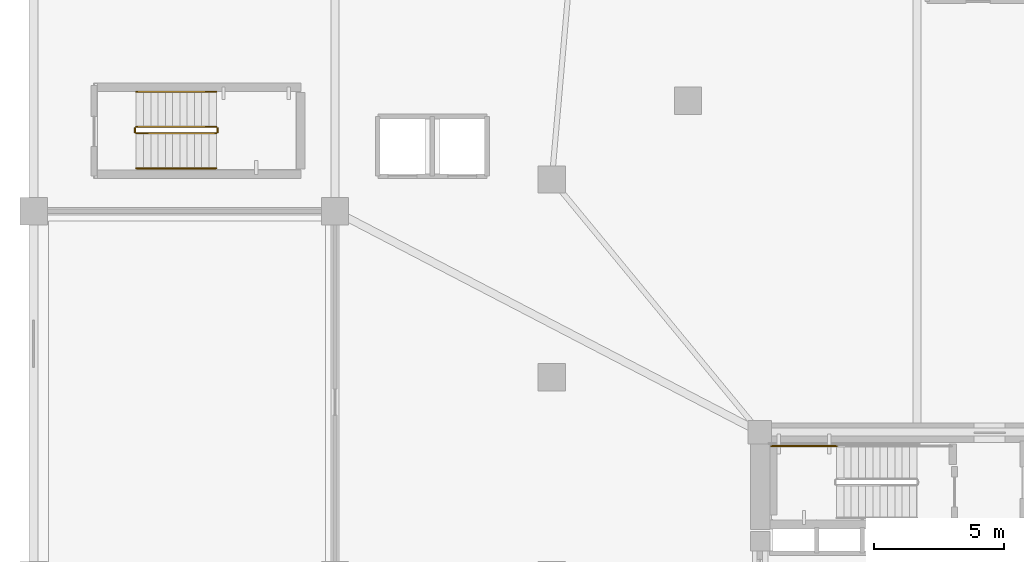
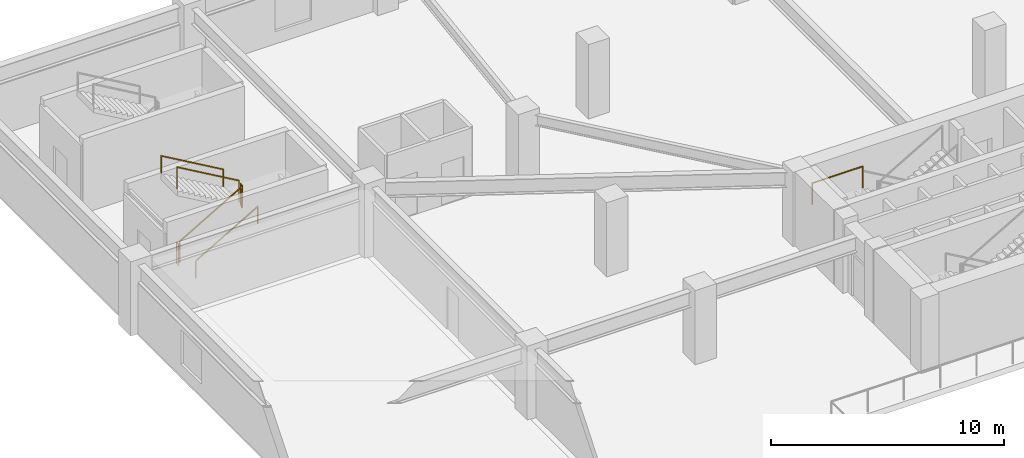
# One storey, part 12 of 16: 7 railings.
"""IFC4 building model written with IfcOpenShell, lengths in metres."""

from ifc_helpers import new_model, si_unit, direction, frame, origin, origin_2d, place, context, subcontext, project, spatial, rectangle, extrude, material, type_object, element, save


model = new_model("IFC4")

# Units and contexts
model_context = context("Model", 3, precision=1e-05, world=origin(), true_north=direction((0.0, 1.0)))
body_context = subcontext(model_context, "Body", "Model", "MODEL_VIEW")
ifc_project = project(units=[si_unit("LENGTHUNIT", "METRE"), si_unit("AREAUNIT", "SQUARE_METRE"), si_unit("VOLUMEUNIT", "CUBIC_METRE"), si_unit("PLANEANGLEUNIT", "RADIAN"), si_unit("MASSUNIT", "GRAM", prefix="KILO")], contexts=[model_context])

# Site, building, storey
site_placement = place(None, origin())
site = spatial("IfcSite", under=ifc_project, at=site_placement, CompositionType="ELEMENT")
building_placement = place(site_placement, origin())
building = spatial("IfcBuilding", under=site, at=building_placement, Name="Yunling Apex Tower", CompositionType="ELEMENT")
storey_placement = place(building_placement, frame((0.0, 0.0, 4.5)))
storey = spatial("IfcBuildingStorey", under=building, at=storey_placement, Name="L02", CompositionType="ELEMENT", Elevation=4.5)

# Railings
ifc_material_1 = material(Name="Steel Q355B", Category="steel")
railing_type_1 = type_object("IfcRailingType", Name="RL-GRD-1150", PredefinedType="GUARDRAIL", material=ifc_material_1)
railing_1_placement = place(storey_placement, frame((-3.090087890625, 4.9599609375, 1.949951171875)))
element("IfcRailing", 1, at=railing_1_placement, inside=storey, type_object=railing_type_1, Name="L02 ST-1 stair guard 3", PredefinedType="GUARDRAIL", context=body_context, shape_type="SweptSolid", body=[
    extrude(rectangle(XDim=0.0439453125, YDim=0.0439453125, at=origin_2d()), origin(), (0.0, 0.0, 1.0), 1.14990234375),
    extrude(rectangle(XDim=0.0439453125, YDim=0.0439453125, at=origin_2d()), frame((-2.510009765625, 0.0, 0.0)), (0.0, 0.0, 1.0), 1.14990234375),
    extrude(rectangle(XDim=0.050048828125, YDim=0.050048828125, at=origin_2d()), frame((-0.038330078125, 0.0, 1.125), z_axis=(-1.0, 0.0, 0.0), x_axis=(0.0, -1.0, 0.0)), (0.0, 0.0, 1.0), 2.433349609375),
])
railing_2_placement = place(storey_placement, frame((-30.050048828125, 17.0, 0.16259765625)))
element("IfcRailing", 2, at=railing_2_placement, inside=storey, type_object=railing_type_1, Name="L02 ST-P1 stair guard 1", PredefinedType="GUARDRAIL", context=body_context, shape_type="SweptSolid", body=[
    extrude(rectangle(XDim=0.0439453125, YDim=0.0439453125, at=origin_2d()), origin(), (0.0, 0.0, 1.0), 1.14990234375),
    extrude(rectangle(XDim=0.0439453125, YDim=0.0439453125, at=origin_2d()), frame((3.080078125, 0.0, 1.787353515625)), (0.0, 0.0, 1.0), 1.14990234375),
    extrude(rectangle(XDim=0.050048828125, YDim=0.050048828125, at=origin_2d()), frame((0.033203125, 0.0, 1.14404296875), z_axis=(0.864920483161, 0.0, 0.501908913857), x_axis=(0.0, 1.0, 0.0)), (0.0, 0.0, 1.0), 3.484375),
])
railing_3_placement = place(storey_placement, frame((-26.919921875, 17.050048828125, 1.949951171875)))
element("IfcRailing", 3, at=railing_3_placement, inside=storey, type_object=railing_type_1, Name="L02 ST-P1 stair guard 2", PredefinedType="GUARDRAIL", context=body_context, shape_type="SweptSolid", body=[
    extrude(rectangle(XDim=0.0439453125, YDim=0.0439453125, at=origin_2d()), origin(), (0.0, 0.0, 1.0), 1.14990234375),
    extrude(rectangle(XDim=0.0439453125, YDim=0.0439453125, at=origin_2d()), frame((0.0, 0.14990234375, 0.0)), (0.0, 0.0, 1.0), 1.14990234375),
    extrude(rectangle(XDim=0.050048828125, YDim=0.050048828125, at=origin_2d()), frame((0.0, 0.038330078125, 1.125), z_axis=(0.0, 1.0, 0.0), x_axis=(-1.0, 0.0, 0.0)), (0.0, 0.0, 1.0), 0.0732421875),
])
railing_4_placement = place(storey_placement, frame((-26.969970703125, 17.25, 2.112548828125)))
element("IfcRailing", 4, at=railing_4_placement, inside=storey, type_object=railing_type_1, Name="L02 ST-P1 stair guard 3", PredefinedType="GUARDRAIL", context=body_context, shape_type="SweptSolid", body=[
    extrude(rectangle(XDim=0.0439453125, YDim=0.0439453125, at=origin_2d()), origin(), (0.0, 0.0, 1.0), 1.14990234375),
    extrude(rectangle(XDim=0.0439453125, YDim=0.0439453125, at=origin_2d()), frame((-3.080078125, 0.0, 1.787353515625)), (0.0, 0.0, 1.0), 1.14990234375),
    extrude(rectangle(XDim=0.050048828125, YDim=0.050048828125, at=origin_2d()), frame((-0.033203125, 0.0, 1.14404296875), z_axis=(-0.864920483161, 0.0, 0.501908913857), x_axis=(0.0, -1.0, 0.0)), (0.0, 0.0, 1.0), 3.484375),
])
railing_5_placement = place(storey_placement, frame((-30.10009765625, 17.050048828125, 0.0)))
element("IfcRailing", 5, at=railing_5_placement, inside=storey, type_object=railing_type_1, Name="L02 ST-P1 stair guard 4", PredefinedType="GUARDRAIL", context=body_context, shape_type="SweptSolid", body=[
    extrude(rectangle(XDim=0.0439453125, YDim=0.0439453125, at=origin_2d()), origin(), (0.0, 0.0, 1.0), 1.14990234375),
    extrude(rectangle(XDim=0.0439453125, YDim=0.0439453125, at=origin_2d()), frame((0.0, 0.14990234375, 0.0)), (0.0, 0.0, 1.0), 1.14990234375),
    extrude(rectangle(XDim=0.050048828125, YDim=0.050048828125, at=origin_2d()), frame((0.0, 0.038330078125, 1.125), z_axis=(0.0, 1.0, 0.0), x_axis=(-1.0, 0.0, 0.0)), (0.0, 0.0, 1.0), 0.0732421875),
])
ifc_material_2 = material(Name="Silver anodised aluminium", Category="aluminium")
railing_type_2 = type_object("IfcRailingType", Name="RL-HND-900", PredefinedType="HANDRAIL", material=ifc_material_2)
railing_6_placement = place(storey_placement, frame((-30.050048828125, 15.64990234375, 0.16259765625)))
element("IfcRailing", 6, at=railing_6_placement, inside=storey, type_object=railing_type_2, Name="L02 ST-P1 stair handrail 1", PredefinedType="HANDRAIL", context=body_context, shape_type="SweptSolid", body=[
    extrude(rectangle(XDim=0.0439453125, YDim=0.0439453125, at=origin_2d()), origin(), (0.0, 0.0, 1.0), 0.919921875),
    extrude(rectangle(XDim=0.0439453125, YDim=0.0439453125, at=origin_2d()), frame((3.080078125, 0.0, 1.787353515625)), (0.0, 0.0, 1.0), 0.919921875),
    extrude(rectangle(XDim=0.050048828125, YDim=0.050048828125, at=origin_2d()), frame((0.033203125, 0.0, 0.9140625), z_axis=(0.864920483161, 0.0, 0.501908913857), x_axis=(0.0, 1.0, 0.0)), (0.0, 0.0, 1.0), 3.484375),
])
railing_7_placement = place(storey_placement, frame((-26.969970703125, 18.60009765625, 2.112548828125)))
element("IfcRailing", 7, at=railing_7_placement, inside=storey, type_object=railing_type_2, Name="L02 ST-P1 stair handrail 2", PredefinedType="HANDRAIL", context=body_context, shape_type="SweptSolid", body=[
    extrude(rectangle(XDim=0.0439453125, YDim=0.0439453125, at=origin_2d()), origin(), (0.0, 0.0, 1.0), 0.919921875),
    extrude(rectangle(XDim=0.0439453125, YDim=0.0439453125, at=origin_2d()), frame((-3.080078125, 0.0, 1.787353515625)), (0.0, 0.0, 1.0), 0.919921875),
    extrude(rectangle(XDim=0.050048828125, YDim=0.050048828125, at=origin_2d()), frame((-0.033203125, 0.0, 0.9140625), z_axis=(-0.864920483161, 0.0, 0.501908913857), x_axis=(0.0, -1.0, 0.0)), (0.0, 0.0, 1.0), 3.484375),
])

save(model, "model.ifc")
